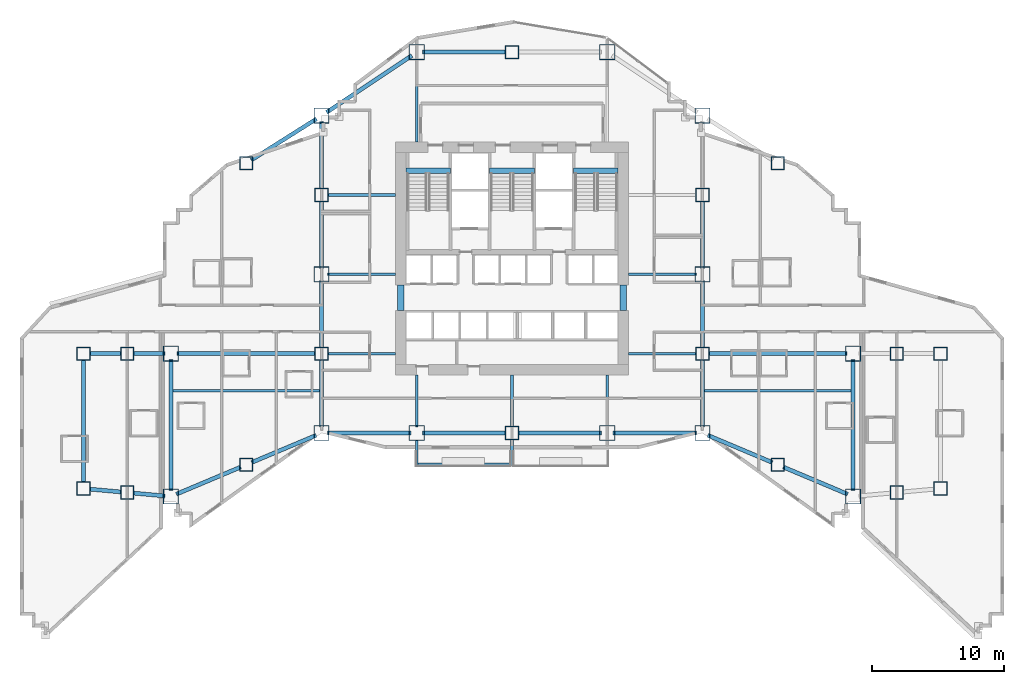
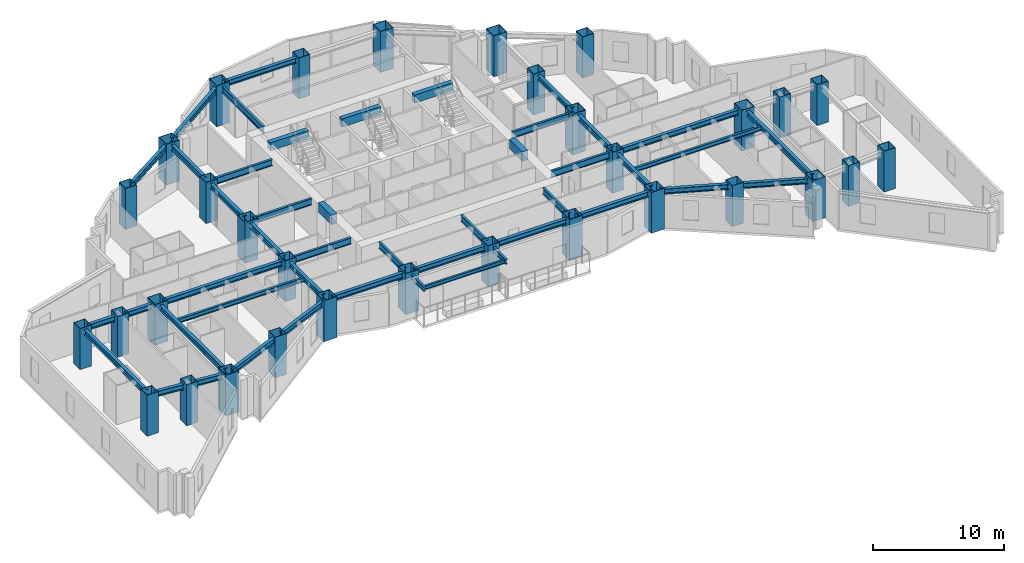
# One storey, part 1 of 16: 46 beams, 32 columns.
"""IFC4 building model written with IfcOpenShell, lengths in metres."""

import ifcopenshell
import ifcopenshell.guid

model = None  # the IFC model being written
_history = None  # IfcOwnerHistory: only IFC2X3 demands one
_inside = {}  # id of a spatial element -> (the spatial element, [elements in it])
_under = {}  # id of a project, library or spatial element -> (it, [spatial elements below it])
_declared = {}  # id of a project -> (the project, [libraries it declares])
_typed = {}  # id of a type object -> (the type object, [elements of that type])
_made_of = {}  # id of a material, layer set ... -> (it, [elements and type objects made of it])


def new_model(schema):
    """Start an empty IFC model of exactly this schema.

    Asked for "IFC4X3", IfcOpenShell would pick the latest addendum, in which some entities
    have other attributes; the version numbers below select the first issue.
    IFC2X3 requires an IfcOwnerHistory on every rooted entity: one is made here for all.
    """
    global model, _history
    if schema == "IFC4X3":
        model = ifcopenshell.file(schema_version=(4, 3, 0, 0))
    else:
        model = ifcopenshell.file(schema=schema)
    _inside.clear()
    _under.clear()
    _declared.clear()
    _typed.clear()
    _made_of.clear()
    _history = None
    if model.schema == "IFC2X3":
        org = make("IfcOrganization", Name="unknown")
        user = make(
            "IfcPersonAndOrganization",
            ThePerson=make("IfcPerson", FamilyName="unknown"),
            TheOrganization=org,
        )
        app = make(
            "IfcApplication",
            ApplicationDeveloper=org,
            Version="unknown",
            ApplicationFullName="unknown",
            ApplicationIdentifier="unknown",
        )
        _history = make(
            "IfcOwnerHistory",
            OwningUser=user,
            OwningApplication=app,
            ChangeAction="ADDED",
            CreationDate=0,
        )
    return model


def make(cls, **values):
    """One entity of the class cls with the attributes given. An attribute that is None is left unset."""
    return model.create_entity(
        cls, **{name: value for name, value in values.items() if value is not None}
    )


def rooted(cls, **values):
    """An entity with a GlobalId (a new one), such as an element, a storey or a relation."""
    return make(cls, GlobalId=ifcopenshell.guid.new(), OwnerHistory=_history, **values)


def si_unit(unit_type, name, prefix=None):
    """IfcSIUnit, for example si_unit("LENGTHUNIT", "METRE", prefix="MILLI")."""
    return make("IfcSIUnit", UnitType=unit_type, Prefix=prefix, Name=name)


def assignment(units):
    """IfcUnitAssignment: the units of a project."""
    return None if units is None else make("IfcUnitAssignment", Units=units)


def point(xyz):
    """IfcCartesianPoint."""
    return None if xyz is None else make("IfcCartesianPoint", Coordinates=xyz)


def direction(xyz):
    """IfcDirection."""
    return None if xyz is None else make("IfcDirection", DirectionRatios=xyz)


def frame(location, z_axis=None, x_axis=None):
    """IfcAxis2Placement3D, a coordinate frame: its origin and axes. An axis left out is left unset."""
    return make(
        "IfcAxis2Placement3D",
        Location=point(location),
        Axis=direction(z_axis),
        RefDirection=direction(x_axis),
    )


def frame_2d(location, x_axis=None):
    """IfcAxis2Placement2D, a coordinate frame in the plane: its origin and x axis."""
    return make(
        "IfcAxis2Placement2D", Location=point(location), RefDirection=direction(x_axis)
    )


def origin():
    """The frame at (0, 0, 0) with its axes left unset."""
    return frame((0.0, 0.0, 0.0))


def origin_2d():
    """The frame at (0, 0) in the plane with its x axis left unset."""
    return frame_2d((0.0, 0.0))


def place(relative_to, where):
    """IfcLocalPlacement: puts the frame where relative to a parent placement (None: the world)."""
    return make(
        "IfcLocalPlacement", PlacementRelTo=relative_to, RelativePlacement=where
    )


def context(
    kind, dimensions, precision=None, world=None, true_north=None, identifier=None
):
    """IfcGeometricRepresentationContext, for example the 3D "Model" context."""
    return make(
        "IfcGeometricRepresentationContext",
        ContextIdentifier=identifier,
        ContextType=kind,
        CoordinateSpaceDimension=dimensions,
        Precision=precision,
        WorldCoordinateSystem=world,
        TrueNorth=true_north,
    )


def subcontext(parent, identifier, kind, view, scale=None):
    """IfcGeometricRepresentationSubContext, for example "Body" below "Model"."""
    return make(
        "IfcGeometricRepresentationSubContext",
        ContextIdentifier=identifier,
        ContextType=kind,
        ParentContext=parent,
        TargetScale=scale,
        TargetView=view,
    )


def project(units=None, contexts=None):
    """IfcProject with its units and contexts."""
    return rooted(
        "IfcProject",
        Name="project",
        RepresentationContexts=contexts,
        UnitsInContext=assignment(units),
    )


def spatial(cls, under=None, at=None, **own):
    """A site, building, storey or space (cls), placed at a placement, below another one or the project."""
    s = rooted(cls, ObjectPlacement=at, **own)
    if under is not None:
        _under.setdefault(under.id(), (under, []))[1].append(s)
    return s


def profile(cls, at=None, kind="AREA", **sizes):
    """A parametric profile (cls). Its sizes go by their IFC names, for example OverallWidth=200.0."""
    return make(cls, ProfileType=kind, Position=at, **sizes)


def rectangle(**sizes):
    """IfcRectangleProfileDef."""
    return profile("IfcRectangleProfileDef", **sizes)


def hollow_rectangle(**sizes):
    """IfcRectangleHollowProfileDef."""
    return profile("IfcRectangleHollowProfileDef", **sizes)


def i_section(**sizes):
    """IfcIShapeProfileDef."""
    return profile("IfcIShapeProfileDef", **sizes)


def extrude(swept, where, along, depth):
    """IfcExtrudedAreaSolid: the profile swept, set in the frame where, extruded along a direction by depth."""
    return make(
        "IfcExtrudedAreaSolid",
        SweptArea=swept,
        Position=where,
        ExtrudedDirection=direction(along),
        Depth=depth,
    )


def shape(context_of_items, identifier, shape_type, items):
    """IfcShapeRepresentation: the items that make up one representation, for example the "Body"."""
    return make(
        "IfcShapeRepresentation",
        ContextOfItems=context_of_items,
        RepresentationIdentifier=identifier,
        RepresentationType=shape_type,
        Items=items,
    )


def material(Name=None, Category=None):
    """IfcMaterial."""
    return make("IfcMaterial", Name=Name, Category=Category)


def material_profile(
    of_material, cross_section, Name=None, Category=None, Priority=None
):
    """IfcMaterialProfile: a cross section and its material."""
    return make(
        "IfcMaterialProfile",
        Name=Name,
        Material=of_material,
        Profile=cross_section,
        Priority=Priority,
        Category=Category,
    )


def profile_set(profiles, Name=None, composite=None):
    """IfcMaterialProfileSet."""
    return make(
        "IfcMaterialProfileSet",
        Name=Name,
        MaterialProfiles=profiles,
        CompositeProfile=composite,
    )


def made_of(thing, what):
    """Note that an element or type object is made of a material, layer set ...; save() writes the relation."""
    if what is not None:
        _made_of.setdefault(what.id(), (what, []))[1].append(thing)
    return thing


def type_object(cls, material=None, **own):
    """A type object (cls), such as IfcWallType, which elements share."""
    return made_of(rooted(cls, **own), material)


def element(
    cls,
    number,
    at=None,
    inside=None,
    cuts=None,
    type_object=None,
    material=None,
    context=None,
    identifier="Body",
    shape_type=None,
    held_by="IfcProductDefinitionShape",
    body=None,
    shapes=None,
    **own,
):
    """One element of the class cls, such as IfcWall. Its Tag is "e" and its number.

    at: its placement. inside: the storey or other place that contains it. cuts: it is an
    opening in that element (IfcRelVoidsElement). A single representation is given by context,
    identifier, shape_type and body (its items); several are given by shapes. held_by: the class
    of the entity that holds the representations. save() writes the other relations.
    """
    e = rooted(cls, Tag="e%d" % number, ObjectPlacement=at, **own)
    if body is not None:
        shapes = [shape(context, identifier, shape_type, body)]
    if shapes is not None:
        e.Representation = make(held_by, Representations=shapes)
    if inside is not None:
        _inside.setdefault(inside.id(), (inside, []))[1].append(e)
    if cuts is not None:
        rooted(
            "IfcRelVoidsElement", RelatingBuildingElement=cuts, RelatedOpeningElement=e
        )
    if type_object is not None:
        _typed.setdefault(type_object.id(), (type_object, []))[1].append(e)
    return made_of(e, material)


def aggregate(whole, parts):
    """IfcRelAggregates: a whole, such as a stair, and the parts it consists of."""
    return rooted("IfcRelAggregates", RelatingObject=whole, RelatedObjects=parts)


def save(model, path):
    """Write the relations noted so far, then the file.

    IfcRelAggregates (storeys below a building ...), IfcRelContainedInSpatialStructure (elements
    in a storey), IfcRelDefinesByType, IfcRelAssociatesMaterial and IfcRelDeclares: one each for
    every whole, place, type object, material and project.
    """
    for whole, parts in _under.values():
        aggregate(whole, parts)
    for where, things in _inside.values():
        rooted(
            "IfcRelContainedInSpatialStructure",
            RelatedElements=things,
            RelatingStructure=where,
        )
    for kind, things in _typed.values():
        rooted("IfcRelDefinesByType", RelatedObjects=things, RelatingType=kind)
    for what, things in _made_of.values():
        rooted("IfcRelAssociatesMaterial", RelatedObjects=things, RelatingMaterial=what)
    for by, libraries in _declared.values():
        rooted("IfcRelDeclares", RelatingContext=by, RelatedDefinitions=libraries)
    model.write(path)


model = new_model("IFC4")

# Units and contexts
model_context = context("Model", 3, precision=1e-05, world=origin(), true_north=direction((0.0, 1.0)))
body_context = subcontext(model_context, "Body", "Model", "MODEL_VIEW")
ifc_project = project(units=[si_unit("LENGTHUNIT", "METRE"), si_unit("AREAUNIT", "SQUARE_METRE"), si_unit("VOLUMEUNIT", "CUBIC_METRE"), si_unit("PLANEANGLEUNIT", "RADIAN"), si_unit("MASSUNIT", "GRAM", prefix="KILO")], contexts=[model_context])

# Site, building, storey
site_placement = place(None, origin())
site = spatial("IfcSite", under=ifc_project, at=site_placement, CompositionType="ELEMENT")
building_placement = place(site_placement, origin())
building = spatial("IfcBuilding", under=site, at=building_placement, Name="Haolan Belvedere Tower", CompositionType="ELEMENT")
storey_placement = place(building_placement, frame((0.0, 0.0, 62.800048828125)))
storey = spatial("IfcBuildingStorey", under=building, at=storey_placement, Name="L15", CompositionType="ELEMENT", Elevation=62.800048828125)

# Columns
ifc_material_1 = material(Name="Steel Q420GJC", Category="steel")
ifc_material_profile_1 = material_profile(ifc_material_1, hollow_rectangle(XDim=1.0, YDim=1.0, WallThickness=0.0380859375, at=origin_2d()), Name="Steel Q420GJC")
ifc_profile_set_1 = profile_set([ifc_material_profile_1], Name="Steel Q420GJC")
column_type_1 = type_object("IfcColumnType", Name="COL-BOX1000x1000x38", PredefinedType="COLUMN", material=ifc_profile_set_1)
for number, where, z_axis, x_axis, name in (
    (1, (6.0, 17.39990234375, 0.0), (0.0, 0.0, 1.0), (1.0, 0.0, 0.0), "L15 column MC-T1-SW (BOX1000x1000x38)"),
    (2, (6.0, 27.60009765625, 0.0), (0.0, 0.0, 1.0), (1.0, 0.0, 0.0), "L15 column MC-T1-NW (BOX1000x1000x38)"),
    (3, (70.800048828125, 17.39990234375, 0.0), (0.0, 0.0, 1.0), (1.0, 0.0, 0.0), "L15 column MC-T5-SE (BOX1000x1000x38)"),
    (4, (70.800048828125, 27.60009765625, 0.0), (0.0, 0.0, 1.0), (1.0, 0.0, 0.0), "L15 column MC-T5-NE (BOX1000x1000x38)"),
    (5, (24.0, 27.60009765625, 0.0), (0.0, 0.0, 1.0), (1.0, 0.0, 0.0), "L15 column TC-T3-W1 (BOX1000x1000x38)"),
    (6, (24.0, 39.60009765625, 0.0), (0.0, 0.0, 1.0), (1.0, 0.0, 0.0), "L15 column TC-T3-W2 (BOX1000x1000x38)"),
    (7, (52.800048828125, 27.60009765625, 0.0), (0.0, 0.0, 1.0), (1.0, 0.0, 0.0), "L15 column TC-T3-E1 (BOX1000x1000x38)"),
    (8, (52.800048828125, 39.60009765625, 0.0), (0.0, 0.0, 1.0), (1.0, 0.0, 0.0), "L15 column TC-T3-E2 (BOX1000x1000x38)"),
    (9, (38.39990234375, 21.60009765625, 0.0), (0.0, 0.0, 1.0), (1.0, 0.0, 0.0), "L15 column TC-T3-SM (BOX1000x1000x38)"),
    (10, (38.39990234375, 50.39990234375, 0.0), (0.0, 0.0, 1.0), (1.0, 0.0, 0.0), "L15 column TC-T3-NM (BOX1000x1000x38)"),
    (11, (18.300048828125, 19.199951171875, 0.0), (0.0, 0.0, 1.0), (1.0, 0.0, 0.0), "L15 column TC-T2-S1 (BOX1000x1000x38)"),
    (12, (18.300048828125, 42.0, 0.0), (0.0, 0.0, 1.0), (1.0, 0.0, 0.0), "L15 column TC-T2-N1 (BOX1000x1000x38)"),
    (13, (58.5, 19.199951171875, 0.0), (0.0, 0.0, 1.0), (1.0, 0.0, 0.0), "L15 column TC-T4-S1 (BOX1000x1000x38)"),
    (14, (58.5, 42.0, 0.0), (0.0, 0.0, 1.0), (1.0, 0.0, 0.0), "L15 column TC-T4-N1 (BOX1000x1000x38)"),
    (15, (9.300048828125, 17.10009765625, 0.0), (0.0, 0.0, 1.0), (1.0, 0.0, 0.0), "L15 column TC-T1-M1 (BOX1000x1000x38)"),
    (16, (9.300048828125, 27.60009765625, 0.0), (0.0, 0.0, 1.0), (1.0, 0.0, 0.0), "L15 column TC-T1-M2 (BOX1000x1000x38)"),
    (17, (67.5, 17.10009765625, 0.0), (0.0, 0.0, 1.0), (1.0, 0.0, 0.0), "L15 column TC-T5-M1 (BOX1000x1000x38)"),
    (18, (67.5, 27.60009765625, 0.0), (0.0, 0.0, 1.0), (1.0, 0.0, 0.0), "L15 column TC-T5-M2 (BOX1000x1000x38)"),
):
    element("IfcColumn", number, at=place(storey_placement, frame(where, z_axis=z_axis, x_axis=x_axis)), inside=storey, type_object=column_type_1, Name=name, PredefinedType="COLUMN", context=body_context, shape_type="SweptSolid", body=[
        extrude(hollow_rectangle(XDim=1.0, YDim=1.0, WallThickness=0.0380859375, at=origin_2d()), origin(), (0.0, 0.0, 1.0), 3.800048828125),
    ])
ifc_material_2 = material(Name="Steel Q355B", Category="steel")
ifc_material_profile_2 = material_profile(ifc_material_2, hollow_rectangle(XDim=1.14990234375, YDim=1.14990234375, WallThickness=0.0419921875, at=origin_2d()), Name="Steel Q355B")
ifc_profile_set_2 = profile_set([ifc_material_profile_2], Name="Steel Q355B")
column_type_2 = type_object("IfcColumnType", Name="COL-BOX1150x1150x42", PredefinedType="COLUMN", material=ifc_profile_set_2)
for number, where, z_axis, x_axis, name in (
    (19, (24.0, 21.60009765625, 0.0), (0.0, 0.0, 1.0), (1.0, 0.0, 0.0), "L15 column MC-T3-SW (BOX1150x1150x42)"),
    (20, (24.0, 33.60009765625, 0.0), (0.0, 0.0, 1.0), (1.0, 0.0, 0.0), "L15 column MC-T3-MW (BOX1150x1150x42)"),
    (21, (24.0, 45.60009765625, 0.0), (0.0, 0.0, 1.0), (1.0, 0.0, 0.0), "L15 column MC-T3-NW (BOX1150x1150x42)"),
    (22, (52.800048828125, 21.60009765625, 0.0), (0.0, 0.0, 1.0), (1.0, 0.0, 0.0), "L15 column MC-T3-SE (BOX1150x1150x42)"),
    (23, (52.800048828125, 33.60009765625, 0.0), (0.0, 0.0, 1.0), (1.0, 0.0, 0.0), "L15 column MC-T3-ME (BOX1150x1150x42)"),
    (24, (52.800048828125, 45.60009765625, 0.0), (0.0, 0.0, 1.0), (1.0, 0.0, 0.0), "L15 column MC-T3-NE (BOX1150x1150x42)"),
    (25, (31.199951171875, 21.60009765625, 0.0), (0.0, 0.0, 1.0), (1.0, 0.0, 0.0), "L15 column MC-T3-S1 (BOX1150x1150x42)"),
    (26, (45.60009765625, 21.60009765625, 0.0), (0.0, 0.0, 1.0), (1.0, 0.0, 0.0), "L15 column MC-T3-S2 (BOX1150x1150x42)"),
    (27, (31.199951171875, 50.39990234375, 0.0), (0.0, 0.0, 1.0), (1.0, 0.0, 0.0), "L15 column MC-T3-N1 (BOX1150x1150x42)"),
    (28, (45.60009765625, 50.39990234375, 0.0), (0.0, 0.0, 1.0), (1.0, 0.0, 0.0), "L15 column MC-T3-N2 (BOX1150x1150x42)"),
    (29, (12.60009765625, 16.800048828125, 0.0), (0.0, 0.0, 1.0), (1.0, 0.0, 0.0), "L15 column MC-T2-SW (BOX1150x1150x42)"),
    (30, (12.60009765625, 27.60009765625, 0.0), (0.0, 0.0, 1.0), (1.0, 0.0, 0.0), "L15 column MC-T2-MW (BOX1150x1150x42)"),
    (31, (64.199951171875, 16.800048828125, 0.0), (0.0, 0.0, 1.0), (1.0, 0.0, 0.0), "L15 column MC-T4-SE (BOX1150x1150x42)"),
    (32, (64.199951171875, 27.60009765625, 0.0), (0.0, 0.0, 1.0), (1.0, 0.0, 0.0), "L15 column MC-T4-ME (BOX1150x1150x42)"),
):
    element("IfcColumn", number, at=place(storey_placement, frame(where, z_axis=z_axis, x_axis=x_axis)), inside=storey, type_object=column_type_2, Name=name, PredefinedType="COLUMN", context=body_context, shape_type="SweptSolid", body=[
        extrude(hollow_rectangle(XDim=1.14990234375, YDim=1.14990234375, WallThickness=0.0419921875, at=origin_2d()), origin(), (0.0, 0.0, 1.0), 3.800048828125),
    ])

# Beams
ifc_material_profile_3 = material_profile(ifc_material_2, i_section(OverallWidth=0.300048828125, OverallDepth=0.488037109375, WebThickness=0.010986328125, FlangeThickness=0.01806640625, FilletRadius=0.02587890625, at=origin_2d()), Name="Steel Q355B")
ifc_profile_set_3 = profile_set([ifc_material_profile_3], Name="Steel Q355B")
beam_type_1 = type_object("IfcBeamType", Name="BM-HM488x300x11x18", PredefinedType="SPANDREL", material=ifc_profile_set_3)
for number, where, z_axis, x_axis, name in (
    (33, (24.0, 22.050048828125, 3.35595703125), (0.0, 1.0, 0.0), (-1.0, 0.0, 0.0), "L15 spandrel girder MC-T3-SW-TC-T3-W1"),
    (34, (24.0, 28.050048828125, 3.35595703125), (0.0, 1.0, 0.0), (-1.0, 0.0, 0.0), "L15 spandrel girder TC-T3-W1-MC-T3-MW"),
    (35, (24.0, 34.050048828125, 3.35595703125), (0.0, 1.0, 0.0), (-1.0, 0.0, 0.0), "L15 spandrel girder MC-T3-MW-TC-T3-W2"),
    (36, (24.0, 40.050048828125, 3.35595703125), (0.0, 1.0, 0.0), (-1.0, 0.0, 0.0), "L15 spandrel girder TC-T3-W2-MC-T3-NW"),
    (37, (52.800048828125, 22.050048828125, 3.35595703125), (0.0, 1.0, 0.0), (-1.0, 0.0, 0.0), "L15 spandrel girder MC-T3-SE-TC-T3-E1"),
    (38, (52.800048828125, 28.050048828125, 3.35595703125), (0.0, 1.0, 0.0), (-1.0, 0.0, 0.0), "L15 spandrel girder TC-T3-E1-MC-T3-ME"),
    (39, (52.800048828125, 34.050048828125, 3.35595703125), (0.0, 1.0, 0.0), (-1.0, 0.0, 0.0), "L15 spandrel girder MC-T3-ME-TC-T3-E2"),
):
    element("IfcBeam", number, at=place(storey_placement, frame(where, z_axis=z_axis, x_axis=x_axis)), inside=storey, type_object=beam_type_1, Name=name, PredefinedType="SPANDREL", context=body_context, shape_type="SweptSolid", body=[
        extrude(i_section(OverallWidth=0.300048828125, OverallDepth=0.488037109375, WebThickness=0.010986328125, FlangeThickness=0.01806640625, FilletRadius=0.02587890625, at=origin_2d()), origin(), (0.0, 0.0, 1.0), 5.099853515625),
    ])
for number, where, z_axis, x_axis, name in (
    (40, (24.449951171875, 21.60009765625, 3.35595703125), (1.0, 0.0, 0.0), (0.0, 1.0, 0.0), "L15 spandrel girder MC-T3-SW-MC-T3-S1"),
    (41, (31.64990234375, 21.60009765625, 3.35595703125), (1.0, 0.0, 0.0), (0.0, 1.0, 0.0), "L15 spandrel girder MC-T3-S1-TC-T3-SM"),
):
    element("IfcBeam", number, at=place(storey_placement, frame(where, z_axis=z_axis, x_axis=x_axis)), inside=storey, type_object=beam_type_1, Name=name, PredefinedType="SPANDREL", context=body_context, shape_type="SweptSolid", body=[
        extrude(i_section(OverallWidth=0.300048828125, OverallDepth=0.488037109375, WebThickness=0.010986328125, FlangeThickness=0.01806640625, FilletRadius=0.02587890625, at=origin_2d()), origin(), (0.0, 0.0, 1.0), 6.300048828125),
    ])
beam_1_placement = place(storey_placement, frame((38.85009765625, 21.60009765625, 3.35595703125), z_axis=(1.0, 0.0, 0.0), x_axis=(0.0, 1.0, 0.0)))
element("IfcBeam", 42, at=beam_1_placement, inside=storey, type_object=beam_type_1, Name="L15 spandrel girder TC-T3-SM-MC-T3-S2", PredefinedType="SPANDREL", context=body_context, shape_type="SweptSolid", body=[
    extrude(i_section(OverallWidth=0.300048828125, OverallDepth=0.488037109375, WebThickness=0.010986328125, FlangeThickness=0.01806640625, FilletRadius=0.02587890625, at=origin_2d()), origin(), (0.0, 0.0, 1.0), 6.2998046875),
])
beam_2_placement = place(storey_placement, frame((46.050048828125, 21.60009765625, 3.35595703125), z_axis=(1.0, 0.0, 0.0), x_axis=(0.0, 1.0, 0.0)))
element("IfcBeam", 43, at=beam_2_placement, inside=storey, type_object=beam_type_1, Name="L15 spandrel girder MC-T3-S2-MC-T3-SE", PredefinedType="SPANDREL", context=body_context, shape_type="SweptSolid", body=[
    extrude(i_section(OverallWidth=0.300048828125, OverallDepth=0.488037109375, WebThickness=0.010986328125, FlangeThickness=0.01806640625, FilletRadius=0.02587890625, at=origin_2d()), origin(), (0.0, 0.0, 1.0), 6.300048828125),
])
beam_3_placement = place(storey_placement, frame((24.37451171875, 45.849609375, 3.35595703125), z_axis=(0.832050294338, 0.554700196225, 0.0), x_axis=(-0.554700196225, 0.832050294338, 0.0)))
element("IfcBeam", 44, at=beam_3_placement, inside=storey, type_object=beam_type_1, Name="L15 spandrel girder MC-T3-NW-MC-T3-N1", PredefinedType="SPANDREL", context=body_context, shape_type="SweptSolid", body=[
    extrude(i_section(OverallWidth=0.300048828125, OverallDepth=0.488037109375, WebThickness=0.010986328125, FlangeThickness=0.01806640625, FilletRadius=0.02587890625, at=origin_2d()), origin(), (0.0, 0.0, 1.0), 7.75341796875),
])
beam_4_placement = place(storey_placement, frame((31.64990234375, 50.39990234375, 3.35595703125), z_axis=(1.0, 0.0, 0.0), x_axis=(0.0, 1.0, 0.0)))
element("IfcBeam", 45, at=beam_4_placement, inside=storey, type_object=beam_type_1, Name="L15 spandrel girder MC-T3-N1-TC-T3-NM", PredefinedType="SPANDREL", context=body_context, shape_type="SweptSolid", body=[
    extrude(i_section(OverallWidth=0.300048828125, OverallDepth=0.488037109375, WebThickness=0.010986328125, FlangeThickness=0.01806640625, FilletRadius=0.02587890625, at=origin_2d()), origin(), (0.0, 0.0, 1.0), 6.300048828125),
])
beam_5_placement = place(storey_placement, frame((12.60009765625, 17.25, 3.35595703125), z_axis=(0.0, 1.0, 0.0), x_axis=(-1.0, 0.0, 0.0)))
element("IfcBeam", 46, at=beam_5_placement, inside=storey, type_object=beam_type_1, Name="L15 spandrel girder MC-T2-SW-MC-T2-MW", PredefinedType="SPANDREL", context=body_context, shape_type="SweptSolid", body=[
    extrude(i_section(OverallWidth=0.300048828125, OverallDepth=0.488037109375, WebThickness=0.010986328125, FlangeThickness=0.01806640625, FilletRadius=0.02587890625, at=origin_2d()), origin(), (0.0, 0.0, 1.0), 9.89990234375),
])
beam_6_placement = place(storey_placement, frame((13.0146484375, 16.974609375, 3.35595703125), z_axis=(0.921635375138, 0.388057000058, 0.0), x_axis=(-0.388057000058, 0.921635375138, 0.0)))
element("IfcBeam", 47, at=beam_6_placement, inside=storey, type_object=beam_type_1, Name="L15 spandrel girder MC-T2-SW-TC-T2-S1", PredefinedType="SPANDREL", context=body_context, shape_type="SweptSolid", body=[
    extrude(i_section(OverallWidth=0.300048828125, OverallDepth=0.488037109375, WebThickness=0.010986328125, FlangeThickness=0.01806640625, FilletRadius=0.02587890625, at=origin_2d()), origin(), (0.0, 0.0, 1.0), 5.28466796875),
])
beam_7_placement = place(storey_placement, frame((18.71484375, 19.37451171875, 3.35595703125), z_axis=(0.92162841793, 0.388073523014, 0.0), x_axis=(-0.388073523014, 0.92162841793, 0.0)))
element("IfcBeam", 48, at=beam_7_placement, inside=storey, type_object=beam_type_1, Name="L15 spandrel girder TC-T2-S1-MC-T3-SW", PredefinedType="SPANDREL", context=body_context, shape_type="SweptSolid", body=[
    extrude(i_section(OverallWidth=0.300048828125, OverallDepth=0.488037109375, WebThickness=0.010986328125, FlangeThickness=0.01806640625, FilletRadius=0.02587890625, at=origin_2d()), origin(), (0.0, 0.0, 1.0), 5.284423828125),
])
beam_8_placement = place(storey_placement, frame((18.680419921875, 42.240234375, 3.35595703125), z_axis=(0.845497840649, 0.533978839898, 0.0), x_axis=(-0.533978839898, 0.845497840649, 0.0)))
element("IfcBeam", 49, at=beam_8_placement, inside=storey, type_object=beam_type_1, Name="L15 spandrel girder TC-T2-N1-MC-T3-NW", PredefinedType="SPANDREL", context=body_context, shape_type="SweptSolid", body=[
    extrude(i_section(OverallWidth=0.300048828125, OverallDepth=0.488037109375, WebThickness=0.010986328125, FlangeThickness=0.01806640625, FilletRadius=0.02587890625, at=origin_2d()), origin(), (0.0, 0.0, 1.0), 5.841796875),
])
beam_9_placement = place(storey_placement, frame((13.050048828125, 27.60009765625, 3.35595703125), z_axis=(1.0, 0.0, 0.0), x_axis=(0.0, 1.0, 0.0)))
element("IfcBeam", 50, at=beam_9_placement, inside=storey, type_object=beam_type_1, Name="L15 spandrel girder MC-T2-MW-TC-T3-W1", PredefinedType="SPANDREL", context=body_context, shape_type="SweptSolid", body=[
    extrude(i_section(OverallWidth=0.300048828125, OverallDepth=0.488037109375, WebThickness=0.010986328125, FlangeThickness=0.01806640625, FilletRadius=0.02587890625, at=origin_2d()), origin(), (0.0, 0.0, 1.0), 10.5),
])
beam_10_placement = place(storey_placement, frame((64.199951171875, 17.25, 3.35595703125), z_axis=(0.0, 1.0, 0.0), x_axis=(-1.0, 0.0, 0.0)))
element("IfcBeam", 51, at=beam_10_placement, inside=storey, type_object=beam_type_1, Name="L15 spandrel girder MC-T4-SE-MC-T4-ME", PredefinedType="SPANDREL", context=body_context, shape_type="SweptSolid", body=[
    extrude(i_section(OverallWidth=0.300048828125, OverallDepth=0.488037109375, WebThickness=0.010986328125, FlangeThickness=0.01806640625, FilletRadius=0.02587890625, at=origin_2d()), origin(), (0.0, 0.0, 1.0), 9.89990234375),
])
for number, where, z_axis, x_axis, name in (
    (52, (53.21484375, 21.42529296875, 3.35595703125), (0.92162841793, -0.388073523014, 0.0), (0.388073523014, 0.92162841793, 0.0), "L15 spandrel girder MC-T3-SE-TC-T4-S1"),
    (53, (58.914794921875, 19.025390625, 3.35595703125), (0.92162841793, -0.388073523014, 0.0), (0.388073523014, 0.92162841793, 0.0), "L15 spandrel girder TC-T4-S1-MC-T4-SE"),
):
    element("IfcBeam", number, at=place(storey_placement, frame(where, z_axis=z_axis, x_axis=x_axis)), inside=storey, type_object=beam_type_1, Name=name, PredefinedType="SPANDREL", context=body_context, shape_type="SweptSolid", body=[
        extrude(i_section(OverallWidth=0.300048828125, OverallDepth=0.488037109375, WebThickness=0.010986328125, FlangeThickness=0.01806640625, FilletRadius=0.02587890625, at=origin_2d()), origin(), (0.0, 0.0, 1.0), 5.284423828125),
    ])
beam_11_placement = place(storey_placement, frame((53.25, 27.60009765625, 3.35595703125), z_axis=(1.0, 0.0, 0.0), x_axis=(0.0, 1.0, 0.0)))
element("IfcBeam", 54, at=beam_11_placement, inside=storey, type_object=beam_type_1, Name="L15 spandrel girder TC-T3-E1-MC-T4-ME", PredefinedType="SPANDREL", context=body_context, shape_type="SweptSolid", body=[
    extrude(i_section(OverallWidth=0.300048828125, OverallDepth=0.488037109375, WebThickness=0.010986328125, FlangeThickness=0.01806640625, FilletRadius=0.02587890625, at=origin_2d()), origin(), (0.0, 0.0, 1.0), 10.5),
])
beam_12_placement = place(storey_placement, frame((6.0, 17.85009765625, 3.35595703125), z_axis=(0.0, 1.0, 0.0), x_axis=(-1.0, 0.0, 0.0)))
element("IfcBeam", 55, at=beam_12_placement, inside=storey, type_object=beam_type_1, Name="L15 spandrel girder MC-T1-SW-MC-T1-NW", PredefinedType="SPANDREL", context=body_context, shape_type="SweptSolid", body=[
    extrude(i_section(OverallWidth=0.300048828125, OverallDepth=0.488037109375, WebThickness=0.010986328125, FlangeThickness=0.01806640625, FilletRadius=0.02587890625, at=origin_2d()), origin(), (0.0, 0.0, 1.0), 9.2998046875),
])
beam_13_placement = place(storey_placement, frame((6.4482421875, 17.359375, 3.35595703125), z_axis=(0.995884080761, -0.090636072764, 0.0), x_axis=(0.090636072764, 0.995884080761, 0.0)))
element("IfcBeam", 56, at=beam_13_placement, inside=storey, type_object=beam_type_1, Name="L15 spandrel girder MC-T1-SW-TC-T1-M1", PredefinedType="SPANDREL", context=body_context, shape_type="SweptSolid", body=[
    extrude(i_section(OverallWidth=0.300048828125, OverallDepth=0.488037109375, WebThickness=0.010986328125, FlangeThickness=0.01806640625, FilletRadius=0.02587890625, at=origin_2d()), origin(), (0.0, 0.0, 1.0), 2.41357421875),
])
beam_14_placement = place(storey_placement, frame((9.748046875, 17.059326171875, 3.35595703125), z_axis=(0.9958940355, -0.090526626221, 0.0), x_axis=(0.090526626221, 0.9958940355, 0.0)))
element("IfcBeam", 57, at=beam_14_placement, inside=storey, type_object=beam_type_1, Name="L15 spandrel girder TC-T1-M1-MC-T2-SW", PredefinedType="SPANDREL", context=body_context, shape_type="SweptSolid", body=[
    extrude(i_section(OverallWidth=0.300048828125, OverallDepth=0.488037109375, WebThickness=0.010986328125, FlangeThickness=0.01806640625, FilletRadius=0.02587890625, at=origin_2d()), origin(), (0.0, 0.0, 1.0), 2.413818359375),
])
beam_15_placement = place(storey_placement, frame((6.449951171875, 27.60009765625, 3.35595703125), z_axis=(1.0, 0.0, 0.0), x_axis=(0.0, 1.0, 0.0)))
element("IfcBeam", 58, at=beam_15_placement, inside=storey, type_object=beam_type_1, Name="L15 spandrel girder MC-T1-NW-TC-T1-M2", PredefinedType="SPANDREL", context=body_context, shape_type="SweptSolid", body=[
    extrude(i_section(OverallWidth=0.300048828125, OverallDepth=0.488037109375, WebThickness=0.010986328125, FlangeThickness=0.01806640625, FilletRadius=0.02587890625, at=origin_2d()), origin(), (0.0, 0.0, 1.0), 2.400146484375),
])
beam_16_placement = place(storey_placement, frame((9.75, 27.60009765625, 3.35595703125), z_axis=(1.0, 0.0, 0.0), x_axis=(0.0, 1.0, 0.0)))
element("IfcBeam", 59, at=beam_16_placement, inside=storey, type_object=beam_type_1, Name="L15 spandrel girder TC-T1-M2-MC-T2-MW", PredefinedType="SPANDREL", context=body_context, shape_type="SweptSolid", body=[
    extrude(i_section(OverallWidth=0.300048828125, OverallDepth=0.488037109375, WebThickness=0.010986328125, FlangeThickness=0.01806640625, FilletRadius=0.02587890625, at=origin_2d()), origin(), (0.0, 0.0, 1.0), 2.39990234375),
])
ifc_material_profile_4 = material_profile(ifc_material_2, i_section(OverallWidth=0.175048828125, OverallDepth=0.35009765625, WebThickness=0.007080078125, FlangeThickness=0.010986328125, FilletRadius=0.012939453125, at=origin_2d()), Name="Steel Q355B")
ifc_profile_set_4 = profile_set([ifc_material_profile_4], Name="Steel Q355B")
beam_type_2 = type_object("IfcBeamType", Name="BM-HN350x175x7x11", PredefinedType="JOIST", material=ifc_profile_set_4)
beam_17_placement = place(storey_placement, frame((31.300048828125, 19.239990234375, 3.39501953125), z_axis=(1.0, 0.0, 0.0), x_axis=(0.0, 1.0, 0.0)))
element("IfcBeam", 60, at=beam_17_placement, inside=storey, type_object=beam_type_2, Name="L16 tree-balcony front trimmer beam 1", PredefinedType="BEAM", context=body_context, shape_type="SweptSolid", body=[
    extrude(i_section(OverallWidth=0.175048828125, OverallDepth=0.35009765625, WebThickness=0.007080078125, FlangeThickness=0.010986328125, FilletRadius=0.012939453125, at=origin_2d()), origin(), (0.0, 0.0, 1.0), 7.0),
])
ifc_material_profile_5 = material_profile(ifc_material_2, i_section(OverallWidth=0.199951171875, OverallDepth=0.39990234375, WebThickness=0.008056640625, FlangeThickness=0.012939453125, FilletRadius=0.01611328125, at=origin_2d()), Name="Steel Q355B")
ifc_profile_set_5 = profile_set([ifc_material_profile_5], Name="Steel Q355B")
beam_type_3 = type_object("IfcBeamType", Name="BM-HN400x200x8x13", PredefinedType="JOIST", material=ifc_profile_set_5)
for number, where, z_axis, x_axis, name in (
    (61, (12.75, 24.800048828125, 3.39990234375), (1.0, 0.0, 0.0), (0.0, 1.0, 0.0), "L15 west wing floor joist 1"),
    (62, (52.949951171875, 24.800048828125, 3.39990234375), (1.0, 0.0, 0.0), (0.0, 1.0, 0.0), "L15 east wing floor joist 1"),
):
    element("IfcBeam", number, at=place(storey_placement, frame(where, z_axis=z_axis, x_axis=x_axis)), inside=storey, type_object=beam_type_3, Name=name, PredefinedType="JOIST", context=body_context, shape_type="SweptSolid", body=[
        extrude(i_section(OverallWidth=0.199951171875, OverallDepth=0.39990234375, WebThickness=0.008056640625, FlangeThickness=0.012939453125, FilletRadius=0.01611328125, at=origin_2d()), origin(), (0.0, 0.0, 1.0), 11.10009765625),
    ])
ifc_material_profile_6 = material_profile(ifc_material_2, i_section(OverallWidth=0.199951171875, OverallDepth=0.449951171875, WebThickness=0.009033203125, FlangeThickness=0.013916015625, FilletRadius=0.01611328125, at=origin_2d()), Name="Steel Q355B")
ifc_profile_set_6 = profile_set([ifc_material_profile_6], Name="Steel Q355B")
beam_type_4 = type_object("IfcBeamType", Name="BM-HN450x200x9x14", PredefinedType="BEAM", material=ifc_profile_set_6)
beam_18_placement = place(storey_placement, frame((31.199951171875, 21.02490234375, 3.344970703125), z_axis=(0.0, -1.0, 0.0), x_axis=(1.0, 0.0, 0.0)))
element("IfcBeam", 63, at=beam_18_placement, inside=storey, type_object=beam_type_4, Name="L16 tree-balcony column cantilever MC-T3-S1", PredefinedType="BEAM", context=body_context, shape_type="SweptSolid", body=[
    extrude(i_section(OverallWidth=0.199951171875, OverallDepth=0.449951171875, WebThickness=0.009033203125, FlangeThickness=0.013916015625, FilletRadius=0.01611328125, at=origin_2d()), origin(), (0.0, 0.0, 1.0), 1.885009765625),
])
beam_19_placement = place(storey_placement, frame((38.39990234375, 21.10009765625, 3.344970703125), z_axis=(0.0, -1.0, 0.0), x_axis=(1.0, 0.0, 0.0)))
element("IfcBeam", 64, at=beam_19_placement, inside=storey, type_object=beam_type_4, Name="L16 tree-balcony column cantilever TC-T3-SM", PredefinedType="BEAM", context=body_context, shape_type="SweptSolid", body=[
    extrude(i_section(OverallWidth=0.199951171875, OverallDepth=0.449951171875, WebThickness=0.009033203125, FlangeThickness=0.013916015625, FilletRadius=0.01611328125, at=origin_2d()), origin(), (0.0, 0.0, 1.0), 1.960205078125),
])
ifc_material_profile_7 = material_profile(ifc_material_2, i_section(OverallWidth=0.199951171875, OverallDepth=0.60009765625, WebThickness=0.010986328125, FlangeThickness=0.01708984375, FilletRadius=0.02197265625, at=origin_2d()), Name="Steel Q355B")
ifc_profile_set_7 = profile_set([ifc_material_profile_7], Name="Steel Q355B")
beam_type_5 = type_object("IfcBeamType", Name="BM-HN600x200x11x17", PredefinedType="BEAM", material=ifc_profile_set_7)
for number, where, z_axis, x_axis, name in (
    (65, (24.449951171875, 33.60009765625, 3.300048828125), (1.0, 0.0, 0.0), (0.0, 1.0, 0.0), "L15 core tie beam from MC-T3-MW"),
    (66, (24.449951171875, 27.60009765625, 3.300048828125), (1.0, 0.0, 0.0), (0.0, 1.0, 0.0), "L15 core tie beam from TC-T3-W1"),
    (67, (24.449951171875, 39.60009765625, 3.300048828125), (1.0, 0.0, 0.0), (0.0, 1.0, 0.0), "L15 core tie beam from TC-T3-W2"),
    (68, (52.35009765625, 33.60009765625, 3.300048828125), (-1.0, 0.0, 0.0), (0.0, -1.0, 0.0), "L15 core tie beam from MC-T3-ME"),
    (69, (52.35009765625, 27.60009765625, 3.300048828125), (-1.0, 0.0, 0.0), (0.0, -1.0, 0.0), "L15 core tie beam from TC-T3-E1"),
):
    element("IfcBeam", number, at=place(storey_placement, frame(where, z_axis=z_axis, x_axis=x_axis)), inside=storey, type_object=beam_type_5, Name=name, PredefinedType="BEAM", context=body_context, shape_type="SweptSolid", body=[
        extrude(i_section(OverallWidth=0.199951171875, OverallDepth=0.60009765625, WebThickness=0.010986328125, FlangeThickness=0.01708984375, FilletRadius=0.02197265625, at=origin_2d()), origin(), (0.0, 0.0, 1.0), 5.150146484375),
    ])
for number, where, z_axis, x_axis, name in (
    (70, (31.199951171875, 22.050048828125, 3.300048828125), (0.0, 1.0, 0.0), (-1.0, 0.0, 0.0), "L15 core tie beam from MC-T3-S1"),
    (71, (38.39990234375, 22.050048828125, 3.300048828125), (0.0, 1.0, 0.0), (-1.0, 0.0, 0.0), "L15 core tie beam from TC-T3-SM"),
    (72, (45.60009765625, 22.050048828125, 3.300048828125), (0.0, 1.0, 0.0), (-1.0, 0.0, 0.0), "L15 core tie beam from MC-T3-S2"),
):
    element("IfcBeam", number, at=place(storey_placement, frame(where, z_axis=z_axis, x_axis=x_axis)), inside=storey, type_object=beam_type_5, Name=name, PredefinedType="BEAM", context=body_context, shape_type="SweptSolid", body=[
        extrude(i_section(OverallWidth=0.199951171875, OverallDepth=0.60009765625, WebThickness=0.010986328125, FlangeThickness=0.01708984375, FilletRadius=0.02197265625, at=origin_2d()), origin(), (0.0, 0.0, 1.0), 3.949951171875),
    ])
beam_20_placement = place(storey_placement, frame((31.199951171875, 49.949951171875, 3.300048828125), z_axis=(0.0, -1.0, 0.0), x_axis=(1.0, 0.0, 0.0)))
element("IfcBeam", 73, at=beam_20_placement, inside=storey, type_object=beam_type_5, Name="L15 core tie beam from MC-T3-N1", PredefinedType="BEAM", context=body_context, shape_type="SweptSolid", body=[
    extrude(i_section(OverallWidth=0.199951171875, OverallDepth=0.60009765625, WebThickness=0.010986328125, FlangeThickness=0.01708984375, FilletRadius=0.02197265625, at=origin_2d()), origin(), (0.0, 0.0, 1.0), 6.349853515625),
])
ifc_material_3 = material(Name="Concrete C50/60", Category="concrete")
ifc_material_profile_8 = material_profile(ifc_material_3, rectangle(XDim=0.39990234375, YDim=0.75, at=origin_2d()), Name="Concrete C50/60")
ifc_profile_set_8 = profile_set([ifc_material_profile_8], Name="Concrete C50/60")
beam_type_6 = type_object("IfcBeamType", Name="BM-RC400x750", PredefinedType="T_BEAM", material=ifc_profile_set_8)
beam_21_placement = place(storey_placement, frame((30.3798828125, 41.429931640625, 3.425048828125), z_axis=(1.0, 0.0, 0.0), x_axis=(0.0, 1.0, 0.0)))
element("IfcBeam", 74, at=beam_21_placement, inside=storey, type_object=beam_type_6, Name="L16 stair ST1 RC header trimmer beam", PredefinedType="BEAM", context=body_context, shape_type="SweptSolid", body=[
    extrude(rectangle(XDim=0.39990234375, YDim=0.75, at=origin_2d()), origin(), (0.0, 0.0, 1.0), 3.360107421875),
])
beam_22_placement = place(storey_placement, frame((36.699951171875, 41.429931640625, 3.425048828125), z_axis=(1.0, 0.0, 0.0), x_axis=(0.0, 1.0, 0.0)))
element("IfcBeam", 75, at=beam_22_placement, inside=storey, type_object=beam_type_6, Name="L16 stair ST3 RC header trimmer beam", PredefinedType="BEAM", context=body_context, shape_type="SweptSolid", body=[
    extrude(rectangle(XDim=0.39990234375, YDim=0.75, at=origin_2d()), origin(), (0.0, 0.0, 1.0), 3.400146484375),
])
beam_23_placement = place(storey_placement, frame((43.06005859375, 41.429931640625, 3.425048828125), z_axis=(1.0, 0.0, 0.0), x_axis=(0.0, 1.0, 0.0)))
element("IfcBeam", 76, at=beam_23_placement, inside=storey, type_object=beam_type_6, Name="L16 stair ST2 RC header trimmer beam", PredefinedType="BEAM", context=body_context, shape_type="SweptSolid", body=[
    extrude(rectangle(XDim=0.39990234375, YDim=0.75, at=origin_2d()), origin(), (0.0, 0.0, 1.0), 3.35986328125),
])
ifc_material_4 = material(Name="Concrete C60/75", Category="concrete")
ifc_material_profile_9 = material_profile(ifc_material_4, rectangle(XDim=0.5, YDim=0.89990234375, at=origin_2d()), Name="Concrete C60/75")
ifc_profile_set_9 = profile_set([ifc_material_profile_9], Name="Concrete C60/75")
beam_type_7 = type_object("IfcBeamType", Name="BM-RC500x900", PredefinedType="LINTEL", material=ifc_profile_set_9)
for number, where, z_axis, x_axis, name in (
    (77, (30.0, 30.85009765625, 3.14990234375), (0.0, 1.0, 0.0), (-1.0, 0.0, 0.0), "L15 west core coupling beam CB-01"),
    (78, (46.800048828125, 30.85009765625, 3.14990234375), (0.0, 1.0, 0.0), (-1.0, 0.0, 0.0), "L15 east core coupling beam CB-01"),
):
    element("IfcBeam", number, at=place(storey_placement, frame(where, z_axis=z_axis, x_axis=x_axis)), inside=storey, type_object=beam_type_7, Name=name, PredefinedType="LINTEL", context=body_context, shape_type="SweptSolid", body=[
        extrude(rectangle(XDim=0.5, YDim=0.89990234375, at=origin_2d()), origin(), (0.0, 0.0, 1.0), 1.949951171875),
    ])

save(model, "model.ifc")
